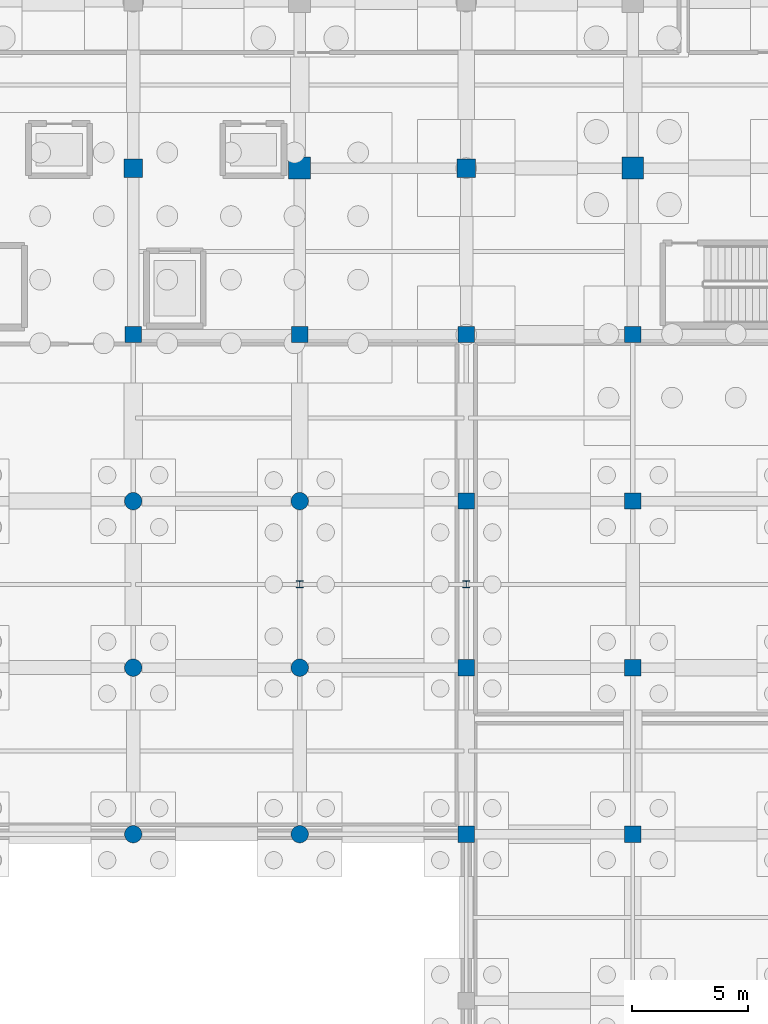
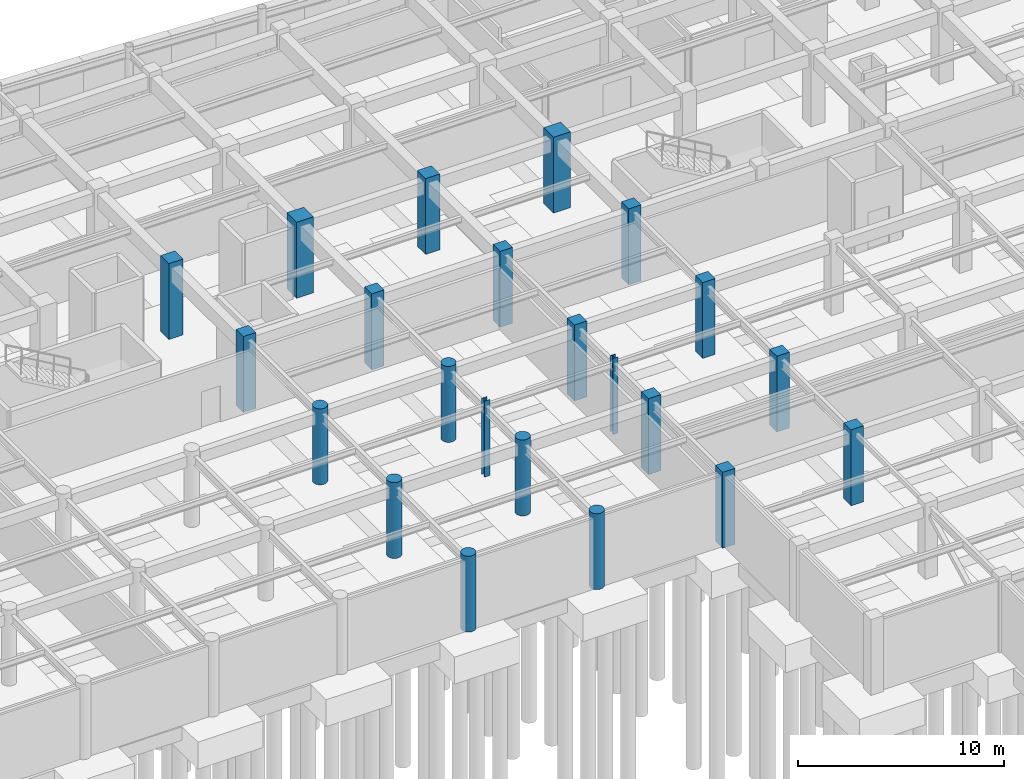
# One storey, part 21 of 48: 22 columns.
"""IFC4 building model written with IfcOpenShell, lengths in metres."""

from ifc_helpers import new_model, si_unit, direction, frame, origin, origin_2d, place, context, subcontext, project, spatial, rectangle, circle, i_section, extrude, material, material_profile, profile_set, type_object, element, save


model = new_model("IFC4")

# Units and contexts
model_context = context("Model", 3, precision=1e-05, world=origin(), true_north=direction((0.0, 1.0)))
body_context = subcontext(model_context, "Body", "Model", "MODEL_VIEW")
ifc_project = project(units=[si_unit("LENGTHUNIT", "METRE"), si_unit("AREAUNIT", "SQUARE_METRE"), si_unit("VOLUMEUNIT", "CUBIC_METRE"), si_unit("PLANEANGLEUNIT", "RADIAN"), si_unit("MASSUNIT", "GRAM", prefix="KILO")], contexts=[model_context])

# Site, building, storey
site_placement = place(None, origin())
site = spatial("IfcSite", under=ifc_project, at=site_placement, CompositionType="ELEMENT")
building_placement = place(site_placement, origin())
building = spatial("IfcBuilding", under=site, at=building_placement, Name="Carrowvane Square Congress Hotel", CompositionType="ELEMENT")
storey_placement = place(building_placement, frame((0.0, 0.0, -4.5)))
storey = spatial("IfcBuildingStorey", under=building, at=storey_placement, Name="B01", CompositionType="ELEMENT", Elevation=-4.5)

# Columns
ifc_material_1 = material(Name="Concrete C40/50", Category="concrete")
ifc_material_profile_1 = material_profile(ifc_material_1, rectangle(XDim=0.699951171875, YDim=0.699951171875, at=origin_2d()), Name="RC 700x700")
ifc_profile_set_1 = profile_set([ifc_material_profile_1], Name="Concrete C40/50")
column_type_1 = type_object("IfcColumnType", Name="COL-RC-700", PredefinedType="COLUMN", material=ifc_profile_set_1)
for number, where, z_axis, x_axis, name in (
    (1, (112.39990234375, 91.800048828125, 0.0), (0.0, 0.0, 1.0), (1.0, 0.0, 0.0), "B01 column 15/N"),
    (2, (119.60009765625, 91.800048828125, 0.0), (0.0, 0.0, 1.0), (1.0, 0.0, 0.0), "B01 column 16/N"),
    (3, (126.800048828125, 70.199951171875, 0.0), (0.0, 0.0, 1.0), (1.0, 0.0, 0.0), "B01 column 17/K"),
    (4, (126.800048828125, 77.39990234375, 0.0), (0.0, 0.0, 1.0), (1.0, 0.0, 0.0), "B01 column 17/L"),
    (5, (126.800048828125, 84.60009765625, 0.0), (0.0, 0.0, 1.0), (1.0, 0.0, 0.0), "B01 column 17/M"),
    (6, (126.800048828125, 91.800048828125, 0.0), (0.0, 0.0, 1.0), (1.0, 0.0, 0.0), "B01 column 17/N"),
    (7, (134.0, 70.199951171875, 0.0), (0.0, 0.0, 1.0), (1.0, 0.0, 0.0), "B01 column 18/K"),
    (8, (134.0, 77.39990234375, 0.0), (0.0, 0.0, 1.0), (1.0, 0.0, 0.0), "B01 column 18/L"),
    (9, (134.0, 84.60009765625, 0.0), (0.0, 0.0, 1.0), (1.0, 0.0, 0.0), "B01 column 18/M"),
    (10, (134.0, 91.800048828125, 0.0), (0.0, 0.0, 1.0), (1.0, 0.0, 0.0), "B01 column 18/N"),
):
    element("IfcColumn", number, at=place(storey_placement, frame(where, z_axis=z_axis, x_axis=x_axis)), inside=storey, type_object=column_type_1, Name=name, PredefinedType="COLUMN", context=body_context, shape_type="SweptSolid", body=[
        extrude(rectangle(XDim=0.699951171875, YDim=0.699951171875, at=origin_2d()), origin(), (0.0, 0.0, 1.0), 4.5),
    ])
ifc_material_2 = material(Name="Concrete C40/50", Category="concrete")
ifc_material_profile_2 = material_profile(ifc_material_2, rectangle(XDim=0.800048828125, YDim=0.800048828125, at=origin_2d()), Name="RC 800x800")
ifc_profile_set_2 = profile_set([ifc_material_profile_2], Name="Concrete C40/50")
column_type_2 = type_object("IfcColumnType", Name="COL-RC-800", PredefinedType="COLUMN", material=ifc_profile_set_2)
for number, where, z_axis, x_axis, name in (
    (11, (112.39990234375, 99.0, 0.0), (0.0, 0.0, 1.0), (1.0, 0.0, 0.0), "B01 column 15/P"),
    (12, (126.800048828125, 99.0, 0.0), (0.0, 0.0, 1.0), (1.0, 0.0, 0.0), "B01 column 17/P"),
):
    element("IfcColumn", number, at=place(storey_placement, frame(where, z_axis=z_axis, x_axis=x_axis)), inside=storey, type_object=column_type_2, Name=name, PredefinedType="COLUMN", context=body_context, shape_type="SweptSolid", body=[
        extrude(rectangle(XDim=0.800048828125, YDim=0.800048828125, at=origin_2d()), origin(), (0.0, 0.0, 1.0), 4.5),
    ])
ifc_material_3 = material(Name="Concrete C40/50", Category="concrete")
ifc_material_profile_3 = material_profile(ifc_material_3, circle(Radius=0.375, at=origin_2d()), Name="RC D750")
ifc_profile_set_3 = profile_set([ifc_material_profile_3], Name="Concrete C40/50")
column_type_3 = type_object("IfcColumnType", Name="COL-RC-D750", PredefinedType="COLUMN", material=ifc_profile_set_3)
for number, where, z_axis, x_axis, name in (
    (13, (112.39990234375, 70.199951171875, 0.0), (0.0, 0.0, 1.0), (1.0, 0.0, 0.0), "B01 column 15/K"),
    (14, (112.39990234375, 77.39990234375, 0.0), (0.0, 0.0, 1.0), (1.0, 0.0, 0.0), "B01 column 15/L"),
    (15, (112.39990234375, 84.60009765625, 0.0), (0.0, 0.0, 1.0), (1.0, 0.0, 0.0), "B01 column 15/M"),
    (16, (119.60009765625, 70.199951171875, 0.0), (0.0, 0.0, 1.0), (1.0, 0.0, 0.0), "B01 column 16/K"),
    (17, (119.60009765625, 77.39990234375, 0.0), (0.0, 0.0, 1.0), (1.0, 0.0, 0.0), "B01 column 16/L"),
    (18, (119.60009765625, 84.60009765625, 0.0), (0.0, 0.0, 1.0), (1.0, 0.0, 0.0), "B01 column 16/M"),
):
    element("IfcColumn", number, at=place(storey_placement, frame(where, z_axis=z_axis, x_axis=x_axis)), inside=storey, type_object=column_type_3, Name=name, PredefinedType="COLUMN", context=body_context, shape_type="SweptSolid", body=[
        extrude(circle(Radius=0.375, at=origin_2d()), origin(), (0.0, 0.0, 1.0), 4.5),
    ])
ifc_material_4 = material(Name="Steel S355", Category="steel")
ifc_material_profile_4 = material_profile(ifc_material_4, i_section(OverallWidth=0.300048828125, OverallDepth=0.300048828125, WebThickness=0.010986328125, FlangeThickness=0.01904296875, FilletRadius=0.027099609375, at=origin_2d()), Name="HEB 300")
ifc_profile_set_4 = profile_set([ifc_material_profile_4], Name="Steel S355")
column_type_4 = type_object("IfcColumnType", Name="COL-ST-HEB300", PredefinedType="COLUMN", material=ifc_profile_set_4)
for number, where, z_axis, x_axis, name in (
    (19, (119.60009765625, 81.0, 0.0), (0.0, 0.0, 1.0), (1.0, 0.0, 0.0), "B01 column V6X119/RG"),
    (20, (126.800048828125, 81.0, 0.0), (0.0, 0.0, 1.0), (1.0, 0.0, 0.0), "B01 column V6X126/RG"),
):
    element("IfcColumn", number, at=place(storey_placement, frame(where, z_axis=z_axis, x_axis=x_axis)), inside=storey, type_object=column_type_4, Name=name, PredefinedType="COLUMN", context=body_context, shape_type="SweptSolid", body=[
        extrude(i_section(OverallWidth=0.300048828125, OverallDepth=0.300048828125, WebThickness=0.010986328125, FlangeThickness=0.01904296875, FilletRadius=0.027099609375, at=origin_2d()), origin(), (0.0, 0.0, 1.0), 4.5),
    ])
ifc_material_5 = material(Name="Concrete C40/50", Category="concrete")
ifc_material_profile_5 = material_profile(ifc_material_5, rectangle(XDim=0.949951171875, YDim=0.949951171875, at=origin_2d()), Name="RC 950x950")
ifc_profile_set_5 = profile_set([ifc_material_profile_5], Name="Concrete C40/50")
column_type_5 = type_object("IfcColumnType", Name="MCOL-RC-1000", PredefinedType="COLUMN", material=ifc_profile_set_5)
for number, where, z_axis, x_axis, name in (
    (21, (119.60009765625, 99.0, 0.0), (0.0, 0.0, 1.0), (1.0, 0.0, 0.0), "B01 column 16/P"),
    (22, (134.0, 99.0, 0.0), (0.0, 0.0, 1.0), (1.0, 0.0, 0.0), "B01 column 18/P"),
):
    element("IfcColumn", number, at=place(storey_placement, frame(where, z_axis=z_axis, x_axis=x_axis)), inside=storey, type_object=column_type_5, Name=name, PredefinedType="COLUMN", context=body_context, shape_type="SweptSolid", body=[
        extrude(rectangle(XDim=0.949951171875, YDim=0.949951171875, at=origin_2d()), origin(), (0.0, 0.0, 1.0), 4.5),
    ])

save(model, "model.ifc")
